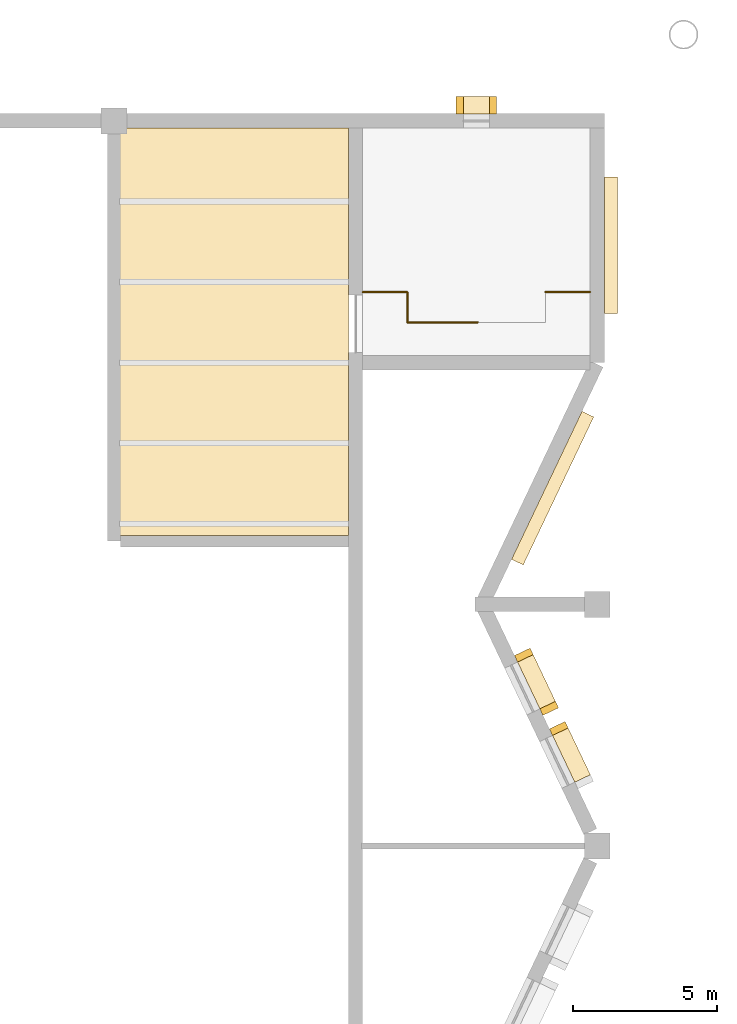
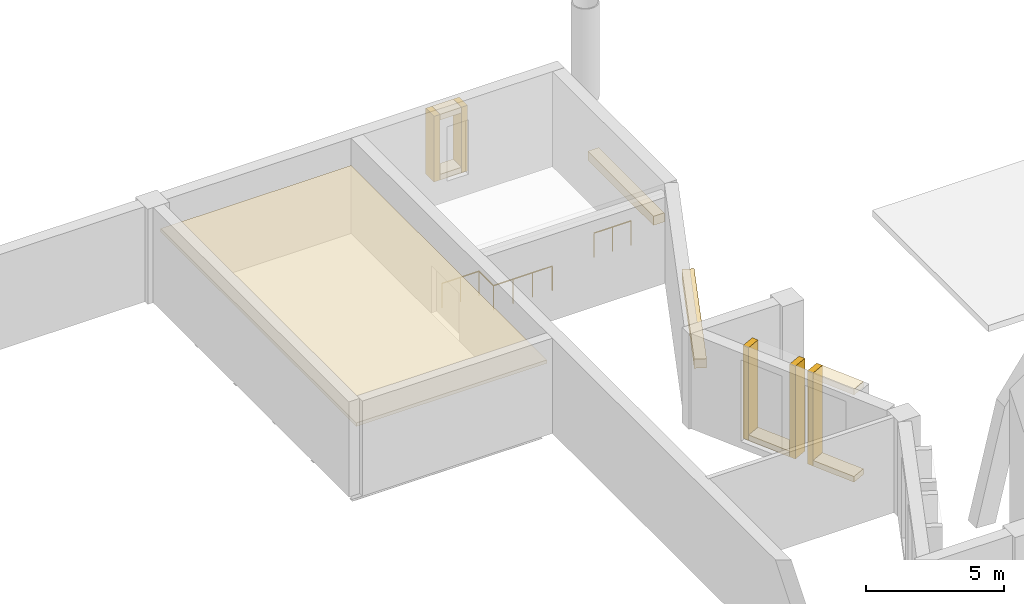
# One storey, part 84 of 88: 13 coverings, 4 railings.
"""IFC4 building model written with IfcOpenShell, lengths in metres."""

from ifc_helpers import new_model, si_unit, direction, frame, origin, origin_2d, place, context, subcontext, project, spatial, polyline, rectangle, circle, outline, extrude, material, layer, layer_set, type_object, element, save


model = new_model("IFC4")

# Units and contexts
model_context = context("Model", 3, precision=1e-05, world=origin(), true_north=direction((0.0, 1.0)))
body_context = subcontext(model_context, "Body", "Model", "MODEL_VIEW")
ifc_project = project(units=[si_unit("LENGTHUNIT", "METRE"), si_unit("AREAUNIT", "SQUARE_METRE"), si_unit("VOLUMEUNIT", "CUBIC_METRE"), si_unit("PLANEANGLEUNIT", "RADIAN"), si_unit("MASSUNIT", "GRAM", prefix="KILO")], contexts=[model_context])

# Site, building, storey
site_placement = place(None, origin())
site = spatial("IfcSite", under=ifc_project, at=site_placement, CompositionType="ELEMENT")
building_placement = place(site_placement, origin())
building = spatial("IfcBuilding", under=site, at=building_placement, Name="Cresset Court Congress Hotel", CompositionType="ELEMENT")
storey_placement = place(building_placement, frame((0.0, 0.0, 14.39990234375)))
storey = spatial("IfcBuildingStorey", under=building, at=storey_placement, Name="L03", CompositionType="ELEMENT", Elevation=14.39990234375)

# Railings
ifc_material_1 = material(Name="Steel and laminated glass", Category="steel")
railing_type = type_object("IfcRailingType", Name="Guard 1100 steel and glass", PredefinedType="GUARDRAIL", material=ifc_material_1)
railing_1_placement = place(storey_placement, frame((111.0, 111.64990234375, 0.0)))
element("IfcRailing", 1, at=railing_1_placement, inside=storey, type_object=railing_type, Name="Guard CC-C4L03d", PredefinedType="GUARDRAIL", context=body_context, shape_type="SweptSolid", body=[
    extrude(circle(Radius=0.02490234375, at=origin_2d()), frame((0.0, 0.0, 1.0751953125), z_axis=(0.0, -1.0, 0.0), x_axis=(1.0, 0.0, 0.0)), (0.0, 0.0, 1.0), 1.0498046875),
    extrude(circle(Radius=0.02001953125, at=origin_2d()), origin(), (0.0, 0.0, 1.0), 1.050048828125),
    extrude(circle(Radius=0.02001953125, at=origin_2d()), frame((0.0, -1.0498046875, 0.0)), (0.0, 0.0, 1.0), 1.050048828125),
])
for number, where, name in (
    (2, (109.449951171875, 111.64990234375, 0.0), "Guard CC-C4L03a"),
    (3, (115.800048828125, 111.64990234375, 0.0), "Guard CC-C4L03b"),
):
    element("IfcRailing", number, at=place(storey_placement, frame(where)), inside=storey, type_object=railing_type, Name=name, PredefinedType="GUARDRAIL", context=body_context, shape_type="SweptSolid", body=[
        extrude(circle(Radius=0.02490234375, at=origin_2d()), frame((0.0, 0.0, 1.0751953125), z_axis=(1.0, 0.0, 0.0), x_axis=(0.0, 1.0, 0.0)), (0.0, 0.0, 1.0), 1.550048828125),
        extrude(circle(Radius=0.02001953125, at=origin_2d()), origin(), (0.0, 0.0, 1.0), 1.050048828125),
        extrude(circle(Radius=0.02001953125, at=origin_2d()), frame((0.77490234375, 0.0, 0.0)), (0.0, 0.0, 1.0), 1.050048828125),
        extrude(circle(Radius=0.02001953125, at=origin_2d()), frame((1.550048828125, 0.0, 0.0)), (0.0, 0.0, 1.0), 1.050048828125),
    ])
railing_2_placement = place(storey_placement, frame((111.0, 110.60009765625, 0.0)))
element("IfcRailing", 4, at=railing_2_placement, inside=storey, type_object=railing_type, Name="Guard CC-C4L03c", PredefinedType="GUARDRAIL", context=body_context, shape_type="SweptSolid", body=[
    extrude(circle(Radius=0.02490234375, at=origin_2d()), frame((0.0, 0.0, 1.0751953125), z_axis=(1.0, 0.0, 0.0), x_axis=(0.0, 1.0, 0.0)), (0.0, 0.0, 1.0), 2.449951171875),
    extrude(circle(Radius=0.02001953125, at=origin_2d()), origin(), (0.0, 0.0, 1.0), 1.050048828125),
    extrude(circle(Radius=0.02001953125, at=origin_2d()), frame((0.816650390625, 0.0, 0.0)), (0.0, 0.0, 1.0), 1.050048828125),
    extrude(circle(Radius=0.02001953125, at=origin_2d()), frame((1.63330078125, 0.0, 0.0)), (0.0, 0.0, 1.0), 1.050048828125),
    extrude(circle(Radius=0.02001953125, at=origin_2d()), frame((2.449951171875, 0.0, 0.0)), (0.0, 0.0, 1.0), 1.050048828125),
])

# Coverings
ifc_material_2 = material(Name="Precast concrete C50", Category="concrete")
covering_type_1 = type_object("IfcCoveringType", Name="Precast reveal band 450x400", PredefinedType="CLADDING", material=ifc_material_2)
covering_1_placement = place(storey_placement, frame((116.0498046875, 104.839599609375, 1.150146484375), z_axis=(0.0, 0.0, 1.0), x_axis=(-0.429932870312, -0.902860856957, 0.0)))
element("IfcCovering", 5, at=covering_1_placement, inside=storey, type_object=covering_type_1, Name="Reveal band E.L03.04a0.1", PredefinedType="CLADDING", context=body_context, shape_type="SweptSolid", body=[
    extrude(rectangle(XDim=5.696044921875, YDim=0.449951171875, at=origin_2d()), origin(), (0.0, 0.0, 1.0), 0.39990234375),
])
covering_2_placement = place(storey_placement, frame((118.074951171875, 113.27490234375, 1.150146484375), z_axis=(0.0, 0.0, 1.0), x_axis=(0.0, -1.0, 0.0)))
element("IfcCovering", 6, at=covering_2_placement, inside=storey, type_object=covering_type_1, Name="Reveal band E.L03.04a1.1", PredefinedType="CLADDING", context=body_context, shape_type="SweptSolid", body=[
    extrude(rectangle(XDim=4.75, YDim=0.449951171875, at=origin_2d()), origin(), (0.0, 0.0, 1.0), 0.39990234375),
])
ifc_material_3 = material(Name="Precast concrete C50", Category="concrete")
covering_type_2 = type_object("IfcCoveringType", Name="Precast reveal frame member 250x600", PredefinedType="CLADDING", material=ifc_material_3)
covering_3_placement = place(storey_placement, frame((116.262939453125, 96.48681640625, 0.050048828125), z_axis=(0.0, 0.0, 1.0), x_axis=(0.429932870312, -0.902860856957, 0.0)))
element("IfcCovering", 7, at=covering_3_placement, inside=storey, type_object=covering_type_2, Name="Reveal frame NC-03-E0365a", PredefinedType="CLADDING", context=body_context, shape_type="SweptSolid", body=[
    extrude(rectangle(XDim=0.25, YDim=0.60009765625, at=origin_2d()), origin(), (0.0, 0.0, 1.0), 4.10009765625),
])
for number, where, z_axis, x_axis, name in (
    (8, (116.70361328125, 95.5615234375, 3.900146484375), (0.0, 0.0, 1.0), (0.429932870312, -0.902860856957, 0.0), "Reveal frame NC-03-E0365c"),
    (9, (116.70361328125, 95.5615234375, 0.050048828125), (0.0, 0.0, 1.0), (0.429932870312, -0.902860856957, 0.0), "Reveal frame NC-03-E0365d"),
):
    element("IfcCovering", number, at=place(storey_placement, frame(where, z_axis=z_axis, x_axis=x_axis)), inside=storey, type_object=covering_type_2, Name=name, PredefinedType="CLADDING", context=body_context, shape_type="SweptSolid", body=[
        extrude(rectangle(XDim=1.800048828125, YDim=0.60009765625, at=origin_2d()), origin(), (0.0, 0.0, 1.0), 0.25),
    ])
for number, where, z_axis, x_axis, name in (
    (10, (115.048828125, 99.036865234375, 0.050048828125), (0.0, 0.0, 1.0), (0.429932870312, -0.902860856957, 0.0), "Reveal frame NC-03-E0390a"),
    (11, (115.93017578125, 97.18603515625, 0.050048828125), (0.0, 0.0, 1.0), (0.429932870312, -0.902860856957, 0.0), "Reveal frame NC-03-E0390b"),
):
    element("IfcCovering", number, at=place(storey_placement, frame(where, z_axis=z_axis, x_axis=x_axis)), inside=storey, type_object=covering_type_2, Name=name, PredefinedType="CLADDING", context=body_context, shape_type="SweptSolid", body=[
        extrude(rectangle(XDim=0.25, YDim=0.60009765625, at=origin_2d()), origin(), (0.0, 0.0, 1.0), 4.10009765625),
    ])
covering_4_placement = place(storey_placement, frame((115.489501953125, 98.111572265625, 0.050048828125), z_axis=(0.0, 0.0, 1.0), x_axis=(0.429932870312, -0.902860856957, 0.0)))
element("IfcCovering", 12, at=covering_4_placement, inside=storey, type_object=covering_type_2, Name="Reveal frame NC-03-E0390d", PredefinedType="CLADDING", context=body_context, shape_type="SweptSolid", body=[
    extrude(rectangle(XDim=1.800048828125, YDim=0.60009765625, at=origin_2d()), origin(), (0.0, 0.0, 1.0), 0.25),
])
for number, where, z_axis, x_axis, name in (
    (13, (112.824951171875, 118.14990234375, 0.650146484375), (0.0, 0.0, 1.0), (1.0, 0.0, 0.0), "Reveal frame NC-03-C4a"),
    (14, (113.97509765625, 118.14990234375, 0.650146484375), (0.0, 0.0, 1.0), (1.0, 0.0, 0.0), "Reveal frame NC-03-C4b"),
):
    element("IfcCovering", number, at=place(storey_placement, frame(where, z_axis=z_axis, x_axis=x_axis)), inside=storey, type_object=covering_type_2, Name=name, PredefinedType="CLADDING", context=body_context, shape_type="SweptSolid", body=[
        extrude(rectangle(XDim=0.25, YDim=0.60009765625, at=origin_2d()), origin(), (0.0, 0.0, 1.0), 2.89990234375),
    ])
for number, where, z_axis, x_axis, name in (
    (15, (113.39990234375, 118.14990234375, 3.300048828125), (0.0, 0.0, 1.0), (1.0, 0.0, 0.0), "Reveal frame NC-03-C4c"),
    (16, (113.39990234375, 118.14990234375, 0.650146484375), (0.0, 0.0, 1.0), (1.0, 0.0, 0.0), "Reveal frame NC-03-C4d"),
):
    element("IfcCovering", number, at=place(storey_placement, frame(where, z_axis=z_axis, x_axis=x_axis)), inside=storey, type_object=covering_type_2, Name=name, PredefinedType="CLADDING", context=body_context, shape_type="SweptSolid", body=[
        extrude(rectangle(XDim=0.89990234375, YDim=0.60009765625, at=origin_2d()), origin(), (0.0, 0.0, 1.0), 0.25),
    ])
ifc_material_4 = material(Name="Mineral fibre ceiling tile")
ifc_layer = layer(ifc_material_4, 0.14990234375)
ifc_layer_set = layer_set([ifc_layer], Name="Suspended ceiling 150")
covering_type_3 = type_object("IfcCoveringType", Name="Suspended ceiling 150", PredefinedType="CEILING", material=ifc_layer_set)
covering_5_placement = place(storey_placement, frame((0.0, 0.0, 2.85009765625)))
element("IfcCovering", 17, at=covering_5_placement, inside=storey, type_object=covering_type_3, Name="Ceiling CC-3", PredefinedType="CEILING", context=body_context, shape_type="SweptSolid", body=[
    extrude(outline(polyline([(108.949951171875, 103.199951171875), (108.949951171875, 117.35009765625), (101.0, 117.35009765625), (101.0, 103.199951171875), (108.949951171875, 103.199951171875)])), origin(), (0.0, 0.0, 1.0), 0.14990234375),
])

save(model, "model.ifc")
